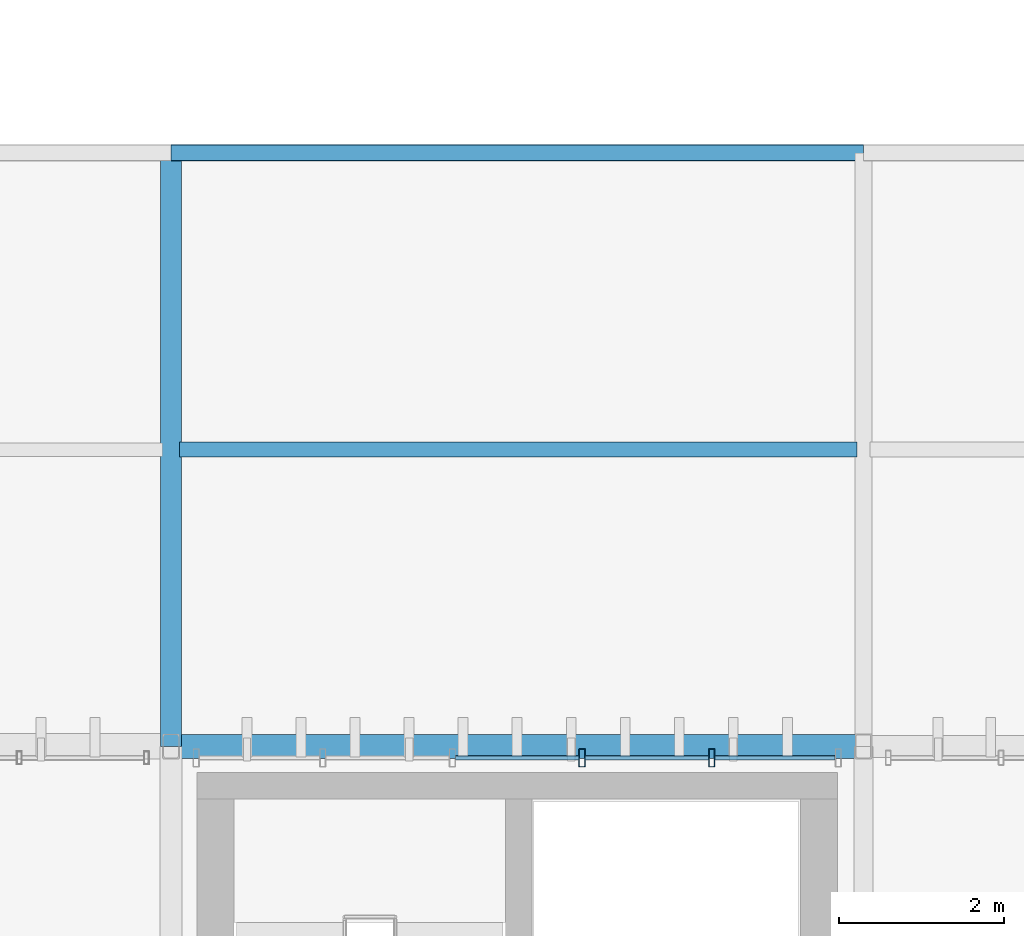
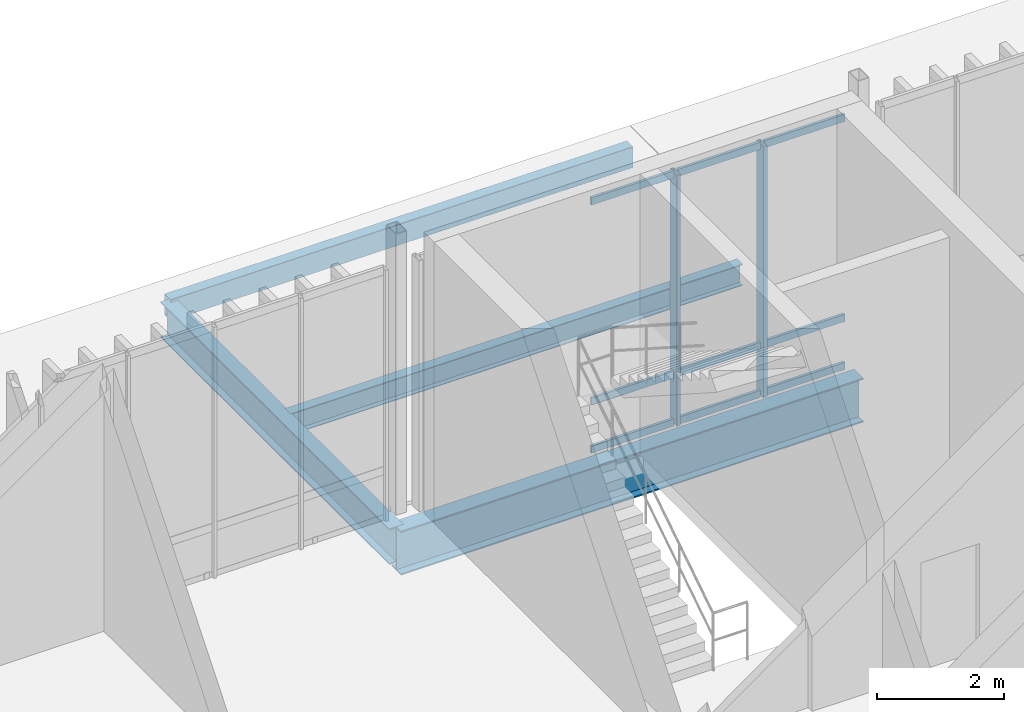
# One storey, part 30 of 112: 11 members, 4 beams, 1 element without a shape of its own.
"""IFC4 building model written with IfcOpenShell, lengths in metres."""

from ifc_helpers import new_model, si_unit, direction, frame, origin_with_axes, origin_2d_with_axis, place, context, subcontext, project, spatial, hollow_rectangle, i_section, extrude, material, material_profile, profile_set, type_object, element, aggregate, save


model = new_model("IFC4")

# Units and contexts
model_context = context("Model", 3, precision=1e-05, world=origin_with_axes(), true_north=direction((0.0, 1.0)))
body_context = subcontext(model_context, "Body", "Model", "MODEL_VIEW")
ifc_project = project(units=[si_unit("LENGTHUNIT", "METRE"), si_unit("AREAUNIT", "SQUARE_METRE"), si_unit("VOLUMEUNIT", "CUBIC_METRE"), si_unit("PLANEANGLEUNIT", "RADIAN"), si_unit("MASSUNIT", "GRAM", prefix="KILO"), si_unit("THERMODYNAMICTEMPERATUREUNIT", "KELVIN")], contexts=[model_context])

# Site, building, storey
site_placement = place(None, origin_with_axes())
site = spatial("IfcSite", under=ifc_project, at=site_placement, CompositionType="ELEMENT")
building_placement = place(site_placement, origin_with_axes())
building = spatial("IfcBuilding", under=site, at=building_placement, Name="Montbau Bow Law Courts", CompositionType="ELEMENT")
storey_placement = place(building_placement, origin_with_axes())
storey = spatial("IfcBuildingStorey", under=building, at=storey_placement, Name="L00", CompositionType="ELEMENT", Elevation=0.0)

# Beams
ifc_material_1 = material(Name="Steel CSA G40.21 Grade 350W (350 MPa)", Category="steel")
ifc_material_profile_1 = material_profile(ifc_material_1, i_section(OverallWidth=0.293, OverallDepth=0.846, WebThickness=0.0154, FlangeThickness=0.0244, at=origin_2d_with_axis()), Name="W840X210", Category="Main", Priority=0)
ifc_profile_set_1 = profile_set([ifc_material_profile_1], Name="Steel CSA G40.21 Grade 350W (350 MPa)")
beam_type_1 = type_object("IfcBeamType", Name="B-FLR-02", PredefinedType="BEAM", material=ifc_profile_set_1)
beam_1_placement = place(None, frame((30.6, 54.6, -0.763), z_axis=(1.0, 0.0, 0.0), x_axis=(0.0, 1.0, 0.0)))
element("IfcBeam", 1, at=beam_1_placement, inside=storey, type_object=beam_type_1, Name="BM-L00-S0212:bm2_0215", PredefinedType="BEAM", context=body_context, shape_type="SweptSolid", body=[
    extrude(i_section(OverallWidth=0.293, OverallDepth=0.846, WebThickness=0.0154, FlangeThickness=0.0244, at=origin_2d_with_axis()), origin_with_axes(), (0.0, 0.0, 1.0), 8.4),
])
ifc_material_profile_2 = material_profile(ifc_material_1, i_section(OverallWidth=0.254, OverallDepth=0.688, WebThickness=0.0131, FlangeThickness=0.0211, at=origin_2d_with_axis()), Name="W690X152", Category="Main", Priority=0)
ifc_profile_set_2 = profile_set([ifc_material_profile_2], Name="Steel CSA G40.21 Grade 350W (350 MPa)")
beam_type_2 = type_object("IfcBeamType", Name="B-FLR-04", PredefinedType="BEAM", material=ifc_profile_set_2)
beam_2_placement = place(None, frame((30.6, 54.6, -0.684), z_axis=(0.0, 1.0, 0.0), x_axis=(-1.0, 0.0, 0.0)))
element("IfcBeam", 2, at=beam_2_placement, inside=storey, type_object=beam_type_2, Name="BM-L00-S0259:bm2_0262", PredefinedType="BEAM", context=body_context, shape_type="SweptSolid", body=[
    extrude(i_section(OverallWidth=0.254, OverallDepth=0.688, WebThickness=0.0131, FlangeThickness=0.0211, at=origin_2d_with_axis()), origin_with_axes(), (0.0, 0.0, 1.0), 7.2),
])
ifc_material_profile_3 = material_profile(ifc_material_1, i_section(OverallWidth=0.179, OverallDepth=0.41, WebThickness=0.0088, FlangeThickness=0.0144, at=origin_2d_with_axis()), Name="W410X67", Category="Main", Priority=0)
ifc_profile_set_3 = profile_set([ifc_material_profile_3], Name="Steel CSA G40.21 Grade 350W (350 MPa)")
beam_type_3 = type_object("IfcBeamType", Name="B-JST-02", PredefinedType="JOIST", material=ifc_profile_set_3)
beam_3_placement = place(None, frame((30.703, 58.2, -0.545), z_axis=(1.0, 0.0, 0.0), x_axis=(0.0, 1.0, 0.0)))
element("IfcBeam", 3, at=beam_3_placement, inside=storey, type_object=beam_type_3, Name="JST-L00-S0029:jst2_0029", PredefinedType="JOIST", context=body_context, shape_type="SweptSolid", body=[
    extrude(i_section(OverallWidth=0.179, OverallDepth=0.41, WebThickness=0.0088, FlangeThickness=0.0144, at=origin_2d_with_axis()), origin_with_axes(), (0.0, 0.0, 1.0), 8.216),
])
ifc_material_2 = material(Name="Steel CSA G40.21 Grade 350WT (350 MPa)", Category="steel")
ifc_material_profile_4 = material_profile(ifc_material_2, hollow_rectangle(XDim=0.203, YDim=0.406, WallThickness=0.0127, InnerFilletRadius=0.0254, OuterFilletRadius=0.0127, at=origin_2d_with_axis()), Name="HSS406X203X13", Category="Main", Priority=0)
ifc_profile_set_4 = profile_set([ifc_material_profile_4], Name="Steel CSA G40.21 Grade 350WT (350 MPa)")
beam_type_4 = type_object("IfcBeamType", Name="B-SPN-01", PredefinedType="SPANDREL", material=ifc_profile_set_4)
beam_4_placement = place(None, frame((30.6, 61.8, -0.493), z_axis=(1.0, 0.0, 0.0), x_axis=(0.0, 1.0, 0.0)))
element("IfcBeam", 4, at=beam_4_placement, inside=storey, type_object=beam_type_4, Name="SPN-L00-S0225:bm2_0228", PredefinedType="SPANDREL", context=body_context, shape_type="SweptSolid", body=[
    extrude(hollow_rectangle(XDim=0.203, YDim=0.406, WallThickness=0.0127, InnerFilletRadius=0.0254, OuterFilletRadius=0.0127, at=origin_2d_with_axis()), origin_with_axes(), (0.0, 0.0, 1.0), 8.4),
])

# Curtain wall, members
ifc_material_3 = material(Name="Thermally Broken Extruded Aluminium AA 6063-T6", Category="aluminium")
curtain_wall_type = type_object("IfcCurtainWallType", Name="CW-TRC-01", PredefinedType="NOTDEFINED", material=ifc_material_3)
curtain_wall_placement = place(None, frame((30.867, 54.46, 0.0), z_axis=(0.0, 0.0, 1.0), x_axis=(1.0, 0.0, 0.0)))
curtain_wall = element("IfcCurtainWall", 5, at=curtain_wall_placement, inside=storey, type_object=curtain_wall_type, Name="CW-L00-009:cw_0009", PredefinedType="NOTDEFINED")
ifc_material_profile_5 = material_profile(ifc_material_3, hollow_rectangle(XDim=0.075, YDim=0.22, WallThickness=0.005, InnerFilletRadius=0.01, OuterFilletRadius=0.005, at=origin_2d_with_axis()), Name="CWM-220X75", Category="Main", Priority=0)
ifc_profile_set_5 = profile_set([ifc_material_profile_5], Name="Thermally Broken Extruded Aluminium AA 6063-T6")
member_type_1 = type_object("IfcMemberType", Name="M-MUL-01", PredefinedType="MULLION", material=ifc_profile_set_5)
member_1_placement = place(None, frame((35.586, 54.46, 0.0), z_axis=(0.0, 0.0, 1.0), x_axis=(1.0, 0.0, 0.0)))
member_1 = element("IfcMember", 6, at=member_1_placement, type_object=member_type_1, Name="CW-L00-009-M04:cw_0009_M04", PredefinedType="MULLION", context=body_context, shape_type="SweptSolid", body=[
    extrude(hollow_rectangle(XDim=0.075, YDim=0.22, WallThickness=0.005, InnerFilletRadius=0.01, OuterFilletRadius=0.005, at=origin_2d_with_axis()), origin_with_axes(), (0.0, 0.0, 1.0), 4.82),
])
member_2_placement = place(None, frame((37.159, 54.46, 0.0), z_axis=(0.0, 0.0, 1.0), x_axis=(1.0, 0.0, 0.0)))
member_2 = element("IfcMember", 7, at=member_2_placement, type_object=member_type_1, Name="CW-L00-009-M05:cw_0009_M05", PredefinedType="MULLION", context=body_context, shape_type="SweptSolid", body=[
    extrude(hollow_rectangle(XDim=0.075, YDim=0.22, WallThickness=0.005, InnerFilletRadius=0.01, OuterFilletRadius=0.005, at=origin_2d_with_axis()), origin_with_axes(), (0.0, 0.0, 1.0), 4.82),
])
ifc_material_profile_6 = material_profile(ifc_material_3, hollow_rectangle(XDim=0.055, YDim=0.14, WallThickness=0.004, InnerFilletRadius=0.008, OuterFilletRadius=0.004, at=origin_2d_with_axis()), Name="CWT-140X55", Category="Main", Priority=0)
ifc_profile_set_6 = profile_set([ifc_material_profile_6], Name="Thermally Broken Extruded Aluminium AA 6063-T6")
member_type_2 = type_object("IfcMemberType", Name="M-TRN-02", PredefinedType="USERDEFINED", material=ifc_profile_set_6)
member_3_placement = place(None, frame((34.052, 54.46, 0.028), z_axis=(1.0, 0.0, 0.0), x_axis=(0.0, 1.0, 0.0)))
member_3 = element("IfcMember", 8, at=member_3_placement, type_object=member_type_2, Name="CW-L00-009-T03-1:cw_0009_T03_1", ObjectType="TRANSOM", PredefinedType="USERDEFINED", context=body_context, shape_type="SweptSolid", body=[
    extrude(hollow_rectangle(XDim=0.055, YDim=0.14, WallThickness=0.004, InnerFilletRadius=0.008, OuterFilletRadius=0.004, at=origin_2d_with_axis()), origin_with_axes(), (0.0, 0.0, 1.0), 1.495),
])
member_4_placement = place(None, frame((34.052, 54.46, 0.95), z_axis=(1.0, 0.0, 0.0), x_axis=(0.0, 1.0, 0.0)))
member_4 = element("IfcMember", 9, at=member_4_placement, type_object=member_type_2, Name="CW-L00-009-T03-2:cw_0009_T03_2", ObjectType="TRANSOM", PredefinedType="USERDEFINED", context=body_context, shape_type="SweptSolid", body=[
    extrude(hollow_rectangle(XDim=0.055, YDim=0.14, WallThickness=0.004, InnerFilletRadius=0.008, OuterFilletRadius=0.004, at=origin_2d_with_axis()), origin_with_axes(), (0.0, 0.0, 1.0), 1.495),
])
member_5_placement = place(None, frame((34.052, 54.46, 4.793), z_axis=(1.0, 0.0, 0.0), x_axis=(0.0, 1.0, 0.0)))
member_5 = element("IfcMember", 10, at=member_5_placement, type_object=member_type_2, Name="CW-L00-009-T03-3:cw_0009_T03_3", ObjectType="TRANSOM", PredefinedType="USERDEFINED", context=body_context, shape_type="SweptSolid", body=[
    extrude(hollow_rectangle(XDim=0.055, YDim=0.14, WallThickness=0.004, InnerFilletRadius=0.008, OuterFilletRadius=0.004, at=origin_2d_with_axis()), origin_with_axes(), (0.0, 0.0, 1.0), 1.495),
])
member_6_placement = place(None, frame((35.625, 54.46, 0.028), z_axis=(1.0, 0.0, 0.0), x_axis=(0.0, 1.0, 0.0)))
member_6 = element("IfcMember", 11, at=member_6_placement, type_object=member_type_2, Name="CW-L00-009-T04-1:cw_0009_T04_1", ObjectType="TRANSOM", PredefinedType="USERDEFINED", context=body_context, shape_type="SweptSolid", body=[
    extrude(hollow_rectangle(XDim=0.055, YDim=0.14, WallThickness=0.004, InnerFilletRadius=0.008, OuterFilletRadius=0.004, at=origin_2d_with_axis()), origin_with_axes(), (0.0, 0.0, 1.0), 1.495),
])
member_7_placement = place(None, frame((35.625, 54.46, 0.95), z_axis=(1.0, 0.0, 0.0), x_axis=(0.0, 1.0, 0.0)))
member_7 = element("IfcMember", 12, at=member_7_placement, type_object=member_type_2, Name="CW-L00-009-T04-2:cw_0009_T04_2", ObjectType="TRANSOM", PredefinedType="USERDEFINED", context=body_context, shape_type="SweptSolid", body=[
    extrude(hollow_rectangle(XDim=0.055, YDim=0.14, WallThickness=0.004, InnerFilletRadius=0.008, OuterFilletRadius=0.004, at=origin_2d_with_axis()), origin_with_axes(), (0.0, 0.0, 1.0), 1.495),
])
member_8_placement = place(None, frame((35.625, 54.46, 4.793), z_axis=(1.0, 0.0, 0.0), x_axis=(0.0, 1.0, 0.0)))
member_8 = element("IfcMember", 13, at=member_8_placement, type_object=member_type_2, Name="CW-L00-009-T04-3:cw_0009_T04_3", ObjectType="TRANSOM", PredefinedType="USERDEFINED", context=body_context, shape_type="SweptSolid", body=[
    extrude(hollow_rectangle(XDim=0.055, YDim=0.14, WallThickness=0.004, InnerFilletRadius=0.008, OuterFilletRadius=0.004, at=origin_2d_with_axis()), origin_with_axes(), (0.0, 0.0, 1.0), 1.495),
])
member_9_placement = place(None, frame((37.198, 54.46, 0.028), z_axis=(1.0, 0.0, 0.0), x_axis=(0.0, 1.0, 0.0)))
member_9 = element("IfcMember", 14, at=member_9_placement, type_object=member_type_2, Name="CW-L00-009-T05-1:cw_0009_T05_1", ObjectType="TRANSOM", PredefinedType="USERDEFINED", context=body_context, shape_type="SweptSolid", body=[
    extrude(hollow_rectangle(XDim=0.055, YDim=0.14, WallThickness=0.004, InnerFilletRadius=0.008, OuterFilletRadius=0.004, at=origin_2d_with_axis()), origin_with_axes(), (0.0, 0.0, 1.0), 1.457),
])
member_10_placement = place(None, frame((37.198, 54.46, 0.95), z_axis=(1.0, 0.0, 0.0), x_axis=(0.0, 1.0, 0.0)))
member_10 = element("IfcMember", 15, at=member_10_placement, type_object=member_type_2, Name="CW-L00-009-T05-2:cw_0009_T05_2", ObjectType="TRANSOM", PredefinedType="USERDEFINED", context=body_context, shape_type="SweptSolid", body=[
    extrude(hollow_rectangle(XDim=0.055, YDim=0.14, WallThickness=0.004, InnerFilletRadius=0.008, OuterFilletRadius=0.004, at=origin_2d_with_axis()), origin_with_axes(), (0.0, 0.0, 1.0), 1.457),
])
member_11_placement = place(None, frame((37.198, 54.46, 4.793), z_axis=(1.0, 0.0, 0.0), x_axis=(0.0, 1.0, 0.0)))
member_11 = element("IfcMember", 16, at=member_11_placement, type_object=member_type_2, Name="CW-L00-009-T05-3:cw_0009_T05_3", ObjectType="TRANSOM", PredefinedType="USERDEFINED", context=body_context, shape_type="SweptSolid", body=[
    extrude(hollow_rectangle(XDim=0.055, YDim=0.14, WallThickness=0.004, InnerFilletRadius=0.008, OuterFilletRadius=0.004, at=origin_2d_with_axis()), origin_with_axes(), (0.0, 0.0, 1.0), 1.457),
])
aggregate(curtain_wall, [member_1, member_2, member_3, member_4, member_5, member_6, member_7, member_8, member_9, member_10, member_11])

save(model, "model.ifc")
